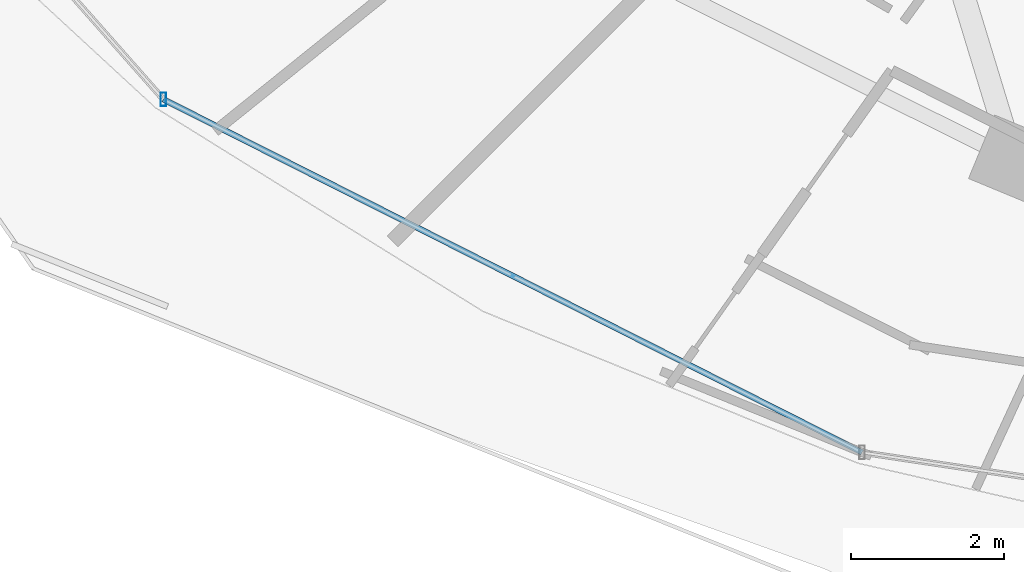
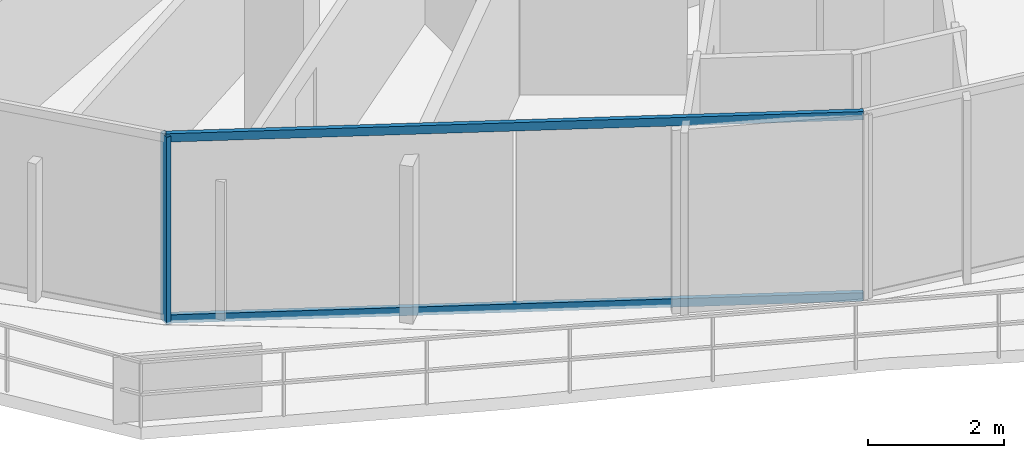
# One storey, part 2 of 33: 3 members, 1 element without a shape of its own.
"""IFC4 building model written with IfcOpenShell, lengths in metres."""

import ifcopenshell
import ifcopenshell.guid

model = None  # the IFC model being written
_history = None  # IfcOwnerHistory: only IFC2X3 demands one
_inside = {}  # id of a spatial element -> (the spatial element, [elements in it])
_under = {}  # id of a project, library or spatial element -> (it, [spatial elements below it])
_declared = {}  # id of a project -> (the project, [libraries it declares])
_typed = {}  # id of a type object -> (the type object, [elements of that type])
_made_of = {}  # id of a material, layer set ... -> (it, [elements and type objects made of it])


def new_model(schema):
    """Start an empty IFC model of exactly this schema.

    Asked for "IFC4X3", IfcOpenShell would pick the latest addendum, in which some entities
    have other attributes; the version numbers below select the first issue.
    IFC2X3 requires an IfcOwnerHistory on every rooted entity: one is made here for all.
    """
    global model, _history
    if schema == "IFC4X3":
        model = ifcopenshell.file(schema_version=(4, 3, 0, 0))
    else:
        model = ifcopenshell.file(schema=schema)
    _inside.clear()
    _under.clear()
    _declared.clear()
    _typed.clear()
    _made_of.clear()
    _history = None
    if model.schema == "IFC2X3":
        org = make("IfcOrganization", Name="unknown")
        user = make(
            "IfcPersonAndOrganization",
            ThePerson=make("IfcPerson", FamilyName="unknown"),
            TheOrganization=org,
        )
        app = make(
            "IfcApplication",
            ApplicationDeveloper=org,
            Version="unknown",
            ApplicationFullName="unknown",
            ApplicationIdentifier="unknown",
        )
        _history = make(
            "IfcOwnerHistory",
            OwningUser=user,
            OwningApplication=app,
            ChangeAction="ADDED",
            CreationDate=0,
        )
    return model


def make(cls, **values):
    """One entity of the class cls with the attributes given. An attribute that is None is left unset."""
    return model.create_entity(
        cls, **{name: value for name, value in values.items() if value is not None}
    )


def rooted(cls, **values):
    """An entity with a GlobalId (a new one), such as an element, a storey or a relation."""
    return make(cls, GlobalId=ifcopenshell.guid.new(), OwnerHistory=_history, **values)


def si_unit(unit_type, name, prefix=None):
    """IfcSIUnit, for example si_unit("LENGTHUNIT", "METRE", prefix="MILLI")."""
    return make("IfcSIUnit", UnitType=unit_type, Prefix=prefix, Name=name)


def assignment(units):
    """IfcUnitAssignment: the units of a project."""
    return None if units is None else make("IfcUnitAssignment", Units=units)


def point(xyz):
    """IfcCartesianPoint."""
    return None if xyz is None else make("IfcCartesianPoint", Coordinates=xyz)


def direction(xyz):
    """IfcDirection."""
    return None if xyz is None else make("IfcDirection", DirectionRatios=xyz)


def frame(location, z_axis=None, x_axis=None):
    """IfcAxis2Placement3D, a coordinate frame: its origin and axes. An axis left out is left unset."""
    return make(
        "IfcAxis2Placement3D",
        Location=point(location),
        Axis=direction(z_axis),
        RefDirection=direction(x_axis),
    )


def frame_2d(location, x_axis=None):
    """IfcAxis2Placement2D, a coordinate frame in the plane: its origin and x axis."""
    return make(
        "IfcAxis2Placement2D", Location=point(location), RefDirection=direction(x_axis)
    )


def origin():
    """The frame at (0, 0, 0) with its axes left unset."""
    return frame((0.0, 0.0, 0.0))


def origin_2d():
    """The frame at (0, 0) in the plane with its x axis left unset."""
    return frame_2d((0.0, 0.0))


def place(relative_to, where):
    """IfcLocalPlacement: puts the frame where relative to a parent placement (None: the world)."""
    return make(
        "IfcLocalPlacement", PlacementRelTo=relative_to, RelativePlacement=where
    )


def context(
    kind, dimensions, precision=None, world=None, true_north=None, identifier=None
):
    """IfcGeometricRepresentationContext, for example the 3D "Model" context."""
    return make(
        "IfcGeometricRepresentationContext",
        ContextIdentifier=identifier,
        ContextType=kind,
        CoordinateSpaceDimension=dimensions,
        Precision=precision,
        WorldCoordinateSystem=world,
        TrueNorth=true_north,
    )


def subcontext(parent, identifier, kind, view, scale=None):
    """IfcGeometricRepresentationSubContext, for example "Body" below "Model"."""
    return make(
        "IfcGeometricRepresentationSubContext",
        ContextIdentifier=identifier,
        ContextType=kind,
        ParentContext=parent,
        TargetScale=scale,
        TargetView=view,
    )


def project(units=None, contexts=None):
    """IfcProject with its units and contexts."""
    return rooted(
        "IfcProject",
        Name="project",
        RepresentationContexts=contexts,
        UnitsInContext=assignment(units),
    )


def spatial(cls, under=None, at=None, **own):
    """A site, building, storey or space (cls), placed at a placement, below another one or the project."""
    s = rooted(cls, ObjectPlacement=at, **own)
    if under is not None:
        _under.setdefault(under.id(), (under, []))[1].append(s)
    return s


def profile(cls, at=None, kind="AREA", **sizes):
    """A parametric profile (cls). Its sizes go by their IFC names, for example OverallWidth=200.0."""
    return make(cls, ProfileType=kind, Position=at, **sizes)


def hollow_rectangle(**sizes):
    """IfcRectangleHollowProfileDef."""
    return profile("IfcRectangleHollowProfileDef", **sizes)


def extrude(swept, where, along, depth):
    """IfcExtrudedAreaSolid: the profile swept, set in the frame where, extruded along a direction by depth."""
    return make(
        "IfcExtrudedAreaSolid",
        SweptArea=swept,
        Position=where,
        ExtrudedDirection=direction(along),
        Depth=depth,
    )


def shape(context_of_items, identifier, shape_type, items):
    """IfcShapeRepresentation: the items that make up one representation, for example the "Body"."""
    return make(
        "IfcShapeRepresentation",
        ContextOfItems=context_of_items,
        RepresentationIdentifier=identifier,
        RepresentationType=shape_type,
        Items=items,
    )


def material(Name=None, Category=None):
    """IfcMaterial."""
    return make("IfcMaterial", Name=Name, Category=Category)


def material_profile(
    of_material, cross_section, Name=None, Category=None, Priority=None
):
    """IfcMaterialProfile: a cross section and its material."""
    return make(
        "IfcMaterialProfile",
        Name=Name,
        Material=of_material,
        Profile=cross_section,
        Priority=Priority,
        Category=Category,
    )


def profile_set(profiles, Name=None, composite=None):
    """IfcMaterialProfileSet."""
    return make(
        "IfcMaterialProfileSet",
        Name=Name,
        MaterialProfiles=profiles,
        CompositeProfile=composite,
    )


def made_of(thing, what):
    """Note that an element or type object is made of a material, layer set ...; save() writes the relation."""
    if what is not None:
        _made_of.setdefault(what.id(), (what, []))[1].append(thing)
    return thing


def type_object(cls, material=None, **own):
    """A type object (cls), such as IfcWallType, which elements share."""
    return made_of(rooted(cls, **own), material)


def element(
    cls,
    number,
    at=None,
    inside=None,
    cuts=None,
    type_object=None,
    material=None,
    context=None,
    identifier="Body",
    shape_type=None,
    held_by="IfcProductDefinitionShape",
    body=None,
    shapes=None,
    **own,
):
    """One element of the class cls, such as IfcWall. Its Tag is "e" and its number.

    at: its placement. inside: the storey or other place that contains it. cuts: it is an
    opening in that element (IfcRelVoidsElement). A single representation is given by context,
    identifier, shape_type and body (its items); several are given by shapes. held_by: the class
    of the entity that holds the representations. save() writes the other relations.
    """
    e = rooted(cls, Tag="e%d" % number, ObjectPlacement=at, **own)
    if body is not None:
        shapes = [shape(context, identifier, shape_type, body)]
    if shapes is not None:
        e.Representation = make(held_by, Representations=shapes)
    if inside is not None:
        _inside.setdefault(inside.id(), (inside, []))[1].append(e)
    if cuts is not None:
        rooted(
            "IfcRelVoidsElement", RelatingBuildingElement=cuts, RelatedOpeningElement=e
        )
    if type_object is not None:
        _typed.setdefault(type_object.id(), (type_object, []))[1].append(e)
    return made_of(e, material)


def aggregate(whole, parts):
    """IfcRelAggregates: a whole, such as a stair, and the parts it consists of."""
    return rooted("IfcRelAggregates", RelatingObject=whole, RelatedObjects=parts)


def save(model, path):
    """Write the relations noted so far, then the file.

    IfcRelAggregates (storeys below a building ...), IfcRelContainedInSpatialStructure (elements
    in a storey), IfcRelDefinesByType, IfcRelAssociatesMaterial and IfcRelDeclares: one each for
    every whole, place, type object, material and project.
    """
    for whole, parts in _under.values():
        aggregate(whole, parts)
    for where, things in _inside.values():
        rooted(
            "IfcRelContainedInSpatialStructure",
            RelatedElements=things,
            RelatingStructure=where,
        )
    for kind, things in _typed.values():
        rooted("IfcRelDefinesByType", RelatedObjects=things, RelatingType=kind)
    for what, things in _made_of.values():
        rooted("IfcRelAssociatesMaterial", RelatedObjects=things, RelatingMaterial=what)
    for by, libraries in _declared.values():
        rooted("IfcRelDeclares", RelatingContext=by, RelatedDefinitions=libraries)
    model.write(path)


model = new_model("IFC4")

# Units and contexts
model_context = context("Model", 3, precision=1e-05, world=origin(), true_north=direction((0.0, 1.0)))
body_context = subcontext(model_context, "Body", "Model", "MODEL_VIEW")
ifc_project = project(units=[si_unit("LENGTHUNIT", "METRE"), si_unit("AREAUNIT", "SQUARE_METRE"), si_unit("VOLUMEUNIT", "CUBIC_METRE"), si_unit("PLANEANGLEUNIT", "RADIAN"), si_unit("MASSUNIT", "GRAM", prefix="KILO")], contexts=[model_context])

# Site, building, storey
site_placement = place(None, origin())
site = spatial("IfcSite", under=ifc_project, at=site_placement, CompositionType="ELEMENT")
building_placement = place(site_placement, origin())
building = spatial("IfcBuilding", under=site, at=building_placement, Name="Vorneva Point Tower", CompositionType="ELEMENT")
storey_placement = place(building_placement, frame((0.0, 0.0, 200.10009765625)))
storey = spatial("IfcBuildingStorey", under=building, at=storey_placement, Name="L54", CompositionType="ELEMENT", Elevation=200.10009765625)

# Curtain wall, members
ifc_material = material(Name="Pale anodised aluminium", Category="aluminium")
curtain_wall_type = type_object("IfcCurtainWallType", Name="CW-RES-SYS", PredefinedType="NOTDEFINED", material=ifc_material)
curtain_wall_placement = place(storey_placement, origin())
curtain_wall = element("IfcCurtainWall", 1, at=curtain_wall_placement, inside=storey, type_object=curtain_wall_type, Name="L54 Unitised Curtain Wall CW-L54-R03", PredefinedType="NOTDEFINED")
ifc_material_profile_1 = material_profile(ifc_material, hollow_rectangle(XDim=0.074951171875, YDim=0.179931640625, WallThickness=0.00390625, at=origin_2d()), Name="AL-MUL 180x75x4")
ifc_profile_set_1 = profile_set([ifc_material_profile_1], Name="Pale anodised aluminium")
member_type_1 = type_object("IfcMemberType", Name="CW-MUL-180", PredefinedType="MULLION", material=ifc_profile_set_1)
member_1_placement = place(storey_placement, frame((18.038330078125, 10.9033203125, -0.0400390625), z_axis=(0.0, 0.0, 1.0), x_axis=(1.0, 0.0, 0.0)))
member_1 = element("IfcMember", 2, at=member_1_placement, type_object=member_type_1, Name="CW-L54-R03 Mullion 02", PredefinedType="MULLION", context=body_context, shape_type="SweptSolid", body=[
    extrude(hollow_rectangle(XDim=0.074951171875, YDim=0.179931640625, WallThickness=0.00390625, at=origin_2d()), origin(), (0.0, 0.0, 1.0), 3.35986328125),
])
ifc_material_profile_2 = material_profile(ifc_material, hollow_rectangle(XDim=0.074951171875, YDim=0.14990234375, WallThickness=0.00390625, at=origin_2d()), Name="AL-TRN 150x75x4")
ifc_profile_set_2 = profile_set([ifc_material_profile_2], Name="Pale anodised aluminium")
member_type_2 = type_object("IfcMemberType", Name="CW-TRN-150", PredefinedType="USERDEFINED", material=ifc_profile_set_2)
member_2_placement = place(storey_placement, frame((18.038330078125, 10.9033203125, 0.02001953125), z_axis=(0.892510927709, -0.451025768576, 0.0), x_axis=(0.451025768576, 0.892510927709, 0.0)))
member_2 = element("IfcMember", 3, at=member_2_placement, type_object=member_type_2, Name="CW-L54-R03 Transom 02.1", ObjectType="TRANSOM", PredefinedType="USERDEFINED", context=body_context, shape_type="SweptSolid", body=[
    extrude(hollow_rectangle(XDim=0.074951171875, YDim=0.14990234375, WallThickness=0.00390625, at=origin_2d()), origin(), (0.0, 0.0, 1.0), 10.261474609375),
])
member_3_placement = place(storey_placement, frame((18.038330078125, 10.9033203125, 3.27001953125), z_axis=(0.892510927709, -0.451025768576, 0.0), x_axis=(0.451025768576, 0.892510927709, 0.0)))
member_3 = element("IfcMember", 4, at=member_3_placement, type_object=member_type_2, Name="CW-L54-R03 Transom 02.2", ObjectType="TRANSOM", PredefinedType="USERDEFINED", context=body_context, shape_type="SweptSolid", body=[
    extrude(hollow_rectangle(XDim=0.074951171875, YDim=0.14990234375, WallThickness=0.00390625, at=origin_2d()), origin(), (0.0, 0.0, 1.0), 10.261474609375),
])
aggregate(curtain_wall, [member_1, member_2, member_3])

save(model, "model.ifc")
